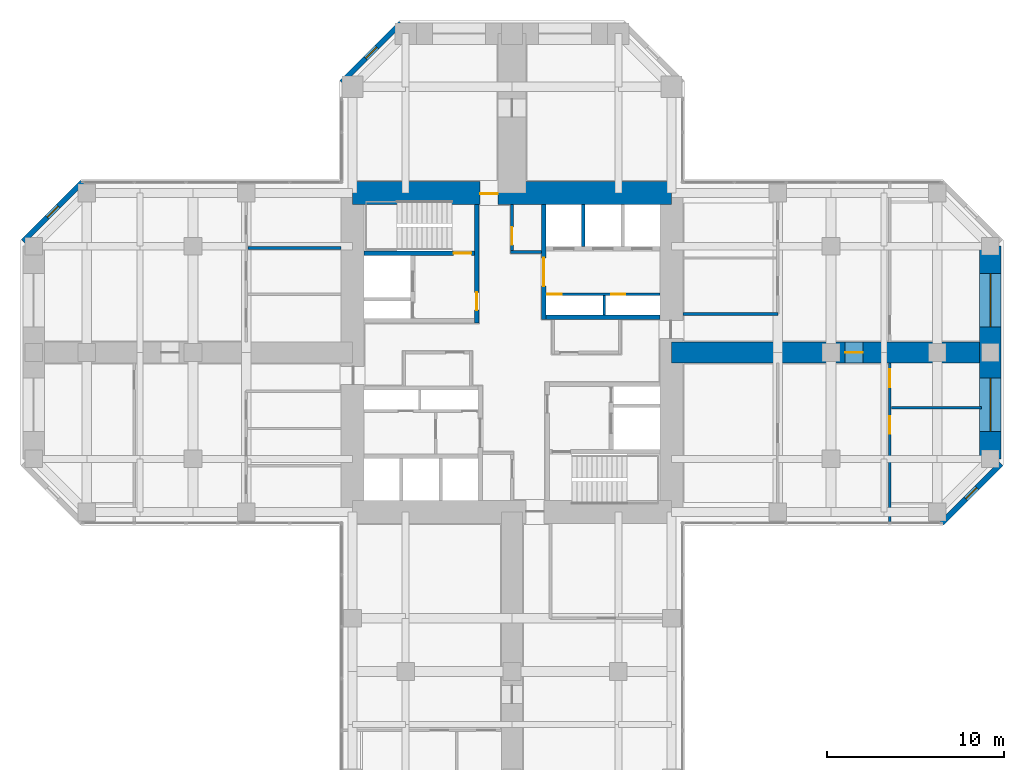
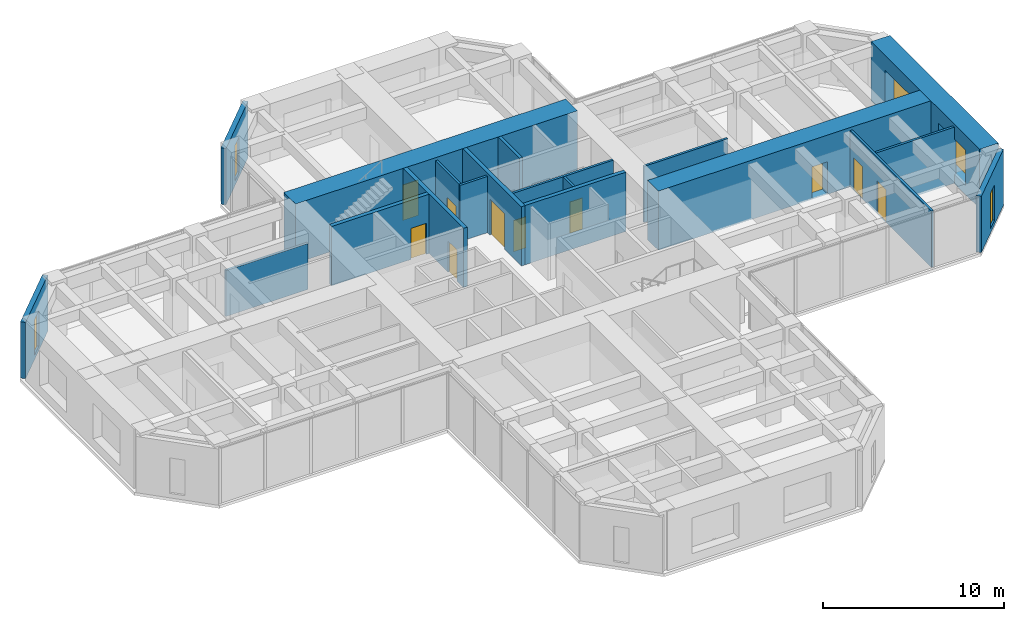
# One storey, part 10 of 12: 19 walls, 10 doors, 5 windows, 15 openings.
"""IFC4 building model written with IfcOpenShell, lengths in metres."""

from ifc_helpers import new_model, si_unit, direction, frame, frame_2d, origin, place, context, subcontext, project, spatial, rectangle, hollow_rectangle, extrude, material, layer, layer_set, constituent, constituent_set, type_object, element, fill, save


model = new_model("IFC4")

# Units and contexts
model_context = context("Model", 3, precision=1e-05, world=origin(), true_north=direction((0.0, 1.0)))
body_context = subcontext(model_context, "Body", "Model", "MODEL_VIEW")
ifc_project = project(units=[si_unit("LENGTHUNIT", "METRE"), si_unit("AREAUNIT", "SQUARE_METRE"), si_unit("VOLUMEUNIT", "CUBIC_METRE"), si_unit("PLANEANGLEUNIT", "RADIAN"), si_unit("MASSUNIT", "GRAM", prefix="KILO")], contexts=[model_context])

# Site, building, storey
site_placement = place(None, origin())
site = spatial("IfcSite", under=ifc_project, at=site_placement, CompositionType="ELEMENT")
building_placement = place(site_placement, origin())
building = spatial("IfcBuilding", under=site, at=building_placement, Name="Torre Cruceta", CompositionType="ELEMENT")
storey_placement = place(building_placement, frame((0.0, 0.0, 104.5)))
storey = spatial("IfcBuildingStorey", under=building, at=storey_placement, Name="L25", CompositionType="ELEMENT", Elevation=104.5)

# Wall, opening, door
ifc_material_1 = material(Name="Concrete G60 (fck 60 MPa)", Category="concrete")
ifc_layer_1 = layer(ifc_material_1, 0.25)
ifc_layer_set_1 = layer_set([ifc_layer_1], Name="Concrete G60 (fck 60 MPa)")
wall_type_1 = type_object("IfcWallType", Name="CORE INNER WALL 250 G60", PredefinedType="SHEAR", material=ifc_layer_set_1)
wall_1_placement = place(storey_placement, frame((1.800048828125, 1.875, 0.0), z_axis=(0.0, 0.0, 1.0), x_axis=(0.0, 1.0, 0.0)))
wall_1 = element("IfcWall", 1, at=wall_1_placement, inside=storey, type_object=wall_type_1, Name="CW4 L25 NE-CU", PredefinedType="SHEAR", context=body_context, shape_type="SweptSolid", body=[
    extrude(rectangle(XDim=6.47509765625, YDim=0.25, at=frame_2d((3.237548828125, 0.0))), origin(), (0.0, 0.0, 1.0), 4.0),
])
opening_1_placement = place(wall_1_placement, frame((1.875, 0.0, 0.0)))
opening_1 = element("IfcOpeningElement", 2, at=opening_1_placement, cuts=wall_1, Name="Opening D8", PredefinedType="OPENING", context=body_context, shape_type="SweptSolid", body=[
    extrude(rectangle(XDim=1.60009765625, YDim=2.39990234375, at=frame_2d((0.800048828125, 1.199951171875))), frame((0.0, 0.135009765625, 0.0), z_axis=(0.0, -1.0, 0.0), x_axis=(1.0, 0.0, 0.0)), (0.0, 0.0, 1.0), 0.27001953125),
])
ifc_material_2 = material(Name="Steel DX51D", Category="steel")
ifc_constituent_1 = constituent(ifc_material_2, Name="Leaf and frame")
ifc_material_3 = material(Name="Polyester powder coating", Category="paint")
ifc_constituent_2 = constituent(ifc_material_3, Name="Finish")
ifc_material_4 = material(Name="Fire-resisting glass", Category="glass")
ifc_constituent_3 = constituent(ifc_material_4, Name="Vision panel")
ifc_constituent_set_1 = constituent_set(constituents=[ifc_constituent_1, ifc_constituent_2, ifc_constituent_3], Name="Steel fire door with vision panels")
door_type_1 = type_object("IfcDoorType", Name="LIFT LOBBY DOUBLE DOOR 1600X2400", OperationType="DOUBLE_DOOR_DOUBLE_SWING", PredefinedType="DOOR", material=ifc_constituent_set_1)
door_1_placement = place(opening_1_placement, origin())
door_1 = element("IfcDoor", 3, at=door_1_placement, inside=storey, type_object=door_type_1, Name="D8 L25 NE-LOBBY", OperationType="DOUBLE_DOOR_DOUBLE_SWING", OverallHeight=2.39990234375, OverallWidth=1.60009765625, PredefinedType="DOOR", context=body_context, shape_type="SweptSolid", body=[
    extrude(rectangle(XDim=1.60009765625, YDim=2.39990234375, at=frame_2d((0.800048828125, 1.199951171875))), frame((0.0, 0.02490234375, 0.0), z_axis=(0.0, -1.0, 0.0), x_axis=(1.0, 0.0, 0.0)), (0.0, 0.0, 1.0), 0.050048828125),
])
fill(opening_1, door_1)

# Wall
wall_2_placement = place(storey_placement, frame((1.925048828125, 2.0, 0.0), z_axis=(0.0, 0.0, 1.0), x_axis=(1.0, 0.0, 0.0)))
element("IfcWall", 4, at=wall_2_placement, inside=storey, type_object=wall_type_1, Name="CW4 L25 NE-CV", PredefinedType="SHEAR", context=body_context, shape_type="SweptSolid", body=[
    extrude(rectangle(XDim=6.425048828125, YDim=0.25, at=frame_2d((3.21240234375, 0.0))), origin(), (0.0, 0.0, 1.0), 4.0),
])

# Wall, opening, door
wall_3_placement = place(storey_placement, frame((-2.0, 1.675048828125, 0.0), z_axis=(0.0, 0.0, 1.0), x_axis=(0.0, 1.0, 0.0)))
wall_3 = element("IfcWall", 5, at=wall_3_placement, inside=storey, type_object=wall_type_1, Name="CW4 L25 NW-CU", PredefinedType="SHEAR", context=body_context, shape_type="SweptSolid", body=[
    extrude(rectangle(XDim=6.675048828125, YDim=0.25, at=frame_2d((3.33740234375, 0.0))), origin(), (0.0, 0.0, 1.0), 4.0),
])
opening_2_placement = place(wall_3_placement, frame((0.72509765625, 0.0, 0.0)))
opening_2 = element("IfcOpeningElement", 6, at=opening_2_placement, cuts=wall_3, Name="Opening D3", PredefinedType="OPENING", context=body_context, shape_type="SweptSolid", body=[
    extrude(rectangle(XDim=1.0, YDim=2.10009765625, at=frame_2d((0.5, 1.050048828125))), frame((0.0, 0.135009765625, 0.0), z_axis=(0.0, -1.0, 0.0), x_axis=(1.0, 0.0, 0.0)), (0.0, 0.0, 1.0), 0.27001953125),
])
ifc_material_5 = material(Name="Steel DX51D", Category="steel")
ifc_constituent_4 = constituent(ifc_material_5, Name="Leaf and frame")
ifc_material_6 = material(Name="Polyester powder coating", Category="paint")
ifc_constituent_5 = constituent(ifc_material_6, Name="Finish")
ifc_constituent_set_2 = constituent_set(constituents=[ifc_constituent_4, ifc_constituent_5], Name="Steel fire door")
door_type_2 = type_object("IfcDoorType", Name="FIRE DOOR 1000X2100", OperationType="SINGLE_SWING_LEFT", PredefinedType="DOOR", material=ifc_constituent_set_2)
door_2_placement = place(opening_2_placement, origin())
door_2 = element("IfcDoor", 7, at=door_2_placement, inside=storey, type_object=door_type_2, Name="D3 L25 NW-LOBBY", OperationType="SINGLE_SWING_LEFT", OverallHeight=2.10009765625, OverallWidth=1.0, PredefinedType="DOOR", context=body_context, shape_type="SweptSolid", body=[
    extrude(rectangle(XDim=1.0, YDim=2.10009765625, at=frame_2d((0.5, 1.050048828125))), frame((0.0, 0.02490234375, 0.0), z_axis=(0.0, -1.0, 0.0), x_axis=(1.0, 0.0, 0.0)), (0.0, 0.0, 1.0), 0.050048828125),
])
fill(opening_2, door_2)

wall_4_placement = place(storey_placement, frame((-2.125, 5.60009765625, 0.0), z_axis=(0.0, 0.0, 1.0), x_axis=(-1.0, 0.0, 0.0)))
wall_4 = element("IfcWall", 8, at=wall_4_placement, inside=storey, type_object=wall_type_1, Name="CW4 L25 NW-SV", PredefinedType="SHEAR", context=body_context, shape_type="SweptSolid", body=[
    extrude(rectangle(XDim=6.22509765625, YDim=0.25, at=frame_2d((3.112548828125, 0.0))), origin(), (0.0, 0.0, 1.0), 4.0),
])
opening_3_placement = place(wall_4_placement, frame((0.175048828125, 0.0, 0.0)))
opening_3 = element("IfcOpeningElement", 9, at=opening_3_placement, cuts=wall_4, Name="Opening D3", PredefinedType="OPENING", context=body_context, shape_type="SweptSolid", body=[
    extrude(rectangle(XDim=1.0, YDim=2.10009765625, at=frame_2d((0.5, 1.050048828125))), frame((0.0, 0.135009765625, 0.0), z_axis=(0.0, -1.0, 0.0), x_axis=(1.0, 0.0, 0.0)), (0.0, 0.0, 1.0), 0.27001953125),
])
door_3_placement = place(opening_3_placement, frame((1.0, 0.0, 0.0), z_axis=(0.0, 0.0, 1.0), x_axis=(-1.0, 0.0, 0.0)))
door_3 = element("IfcDoor", 10, at=door_3_placement, inside=storey, type_object=door_type_2, Name="D3 L25 NW-STAIR", OperationType="SINGLE_SWING_RIGHT", OverallHeight=2.10009765625, OverallWidth=1.0, PredefinedType="DOOR", context=body_context, shape_type="SweptSolid", body=[
    extrude(rectangle(XDim=1.0, YDim=2.10009765625, at=frame_2d((0.5, 1.050048828125))), frame((0.0, 0.025146484375, 0.0), z_axis=(0.0, -1.0, 0.0), x_axis=(1.0, 0.0, 0.0)), (0.0, 0.0, 1.0), 0.050048828125),
])
fill(opening_3, door_3)

ifc_material_7 = material(Name="Concrete G60 (fck 60 MPa)", Category="concrete")
ifc_layer_2 = layer(ifc_material_7, 1.300048828125)
ifc_layer_set_2 = layer_set([ifc_layer_2], Name="Concrete G60 (fck 60 MPa)")
wall_type_2 = type_object("IfcWallType", Name="CORE WALL 1300 G60", PredefinedType="SHEAR", material=ifc_layer_set_2)
wall_5_placement = place(storey_placement, frame((9.0, 9.0, 0.0), z_axis=(0.0, 0.0, 1.0), x_axis=(-1.0, 0.0, 0.0)))
wall_5 = element("IfcWall", 11, at=wall_5_placement, inside=storey, type_object=wall_type_2, Name="CW1 L25 CW-N", PredefinedType="SHEAR", context=body_context, shape_type="SweptSolid", body=[
    extrude(rectangle(XDim=18.0, YDim=1.300048828125, at=frame_2d((9.0, 0.0))), origin(), (0.0, 0.0, 1.0), 4.0),
])
opening_4_placement = place(wall_5_placement, frame((9.800048828125, 0.0, 0.0)))
opening_4 = element("IfcOpeningElement", 12, at=opening_4_placement, cuts=wall_5, Name="Opening D4", PredefinedType="OPENING", context=body_context, shape_type="SweptSolid", body=[
    extrude(rectangle(XDim=1.0, YDim=2.39990234375, at=frame_2d((0.5, 1.199951171875))), frame((0.0, 0.659912109375, 0.0), z_axis=(0.0, -1.0, 0.0), x_axis=(1.0, 0.0, 0.0)), (0.0, 0.0, 1.0), 1.320068359375),
])
ifc_material_8 = material(Name="Steel DX51D", Category="steel")
ifc_constituent_6 = constituent(ifc_material_8, Name="Leaf and frame")
ifc_material_9 = material(Name="Polyester powder coating", Category="paint")
ifc_constituent_7 = constituent(ifc_material_9, Name="Finish")
ifc_constituent_set_3 = constituent_set(constituents=[ifc_constituent_6, ifc_constituent_7], Name="Steel fire door")
door_type_3 = type_object("IfcDoorType", Name="CORE ARM DOOR 1000X2400", OperationType="SINGLE_SWING_RIGHT", PredefinedType="DOOR", material=ifc_constituent_set_3)
door_4_placement = place(opening_4_placement, frame((1.0, 0.0, 0.0), z_axis=(0.0, 0.0, 1.0), x_axis=(-1.0, 0.0, 0.0)))
door_4 = element("IfcDoor", 13, at=door_4_placement, inside=storey, type_object=door_type_3, Name="D4 L25 CW-N", OperationType="SINGLE_SWING_RIGHT", OverallHeight=2.39990234375, OverallWidth=1.0, PredefinedType="DOOR", context=body_context, shape_type="SweptSolid", body=[
    extrude(rectangle(XDim=1.0, YDim=2.39990234375, at=frame_2d((0.5, 1.199951171875))), frame((0.0, -0.005126953125, 0.0), z_axis=(0.0, -1.0, 0.0), x_axis=(1.0, 0.0, 0.0)), (0.0, 0.0, 1.0), 0.050048828125),
])
fill(opening_4, door_4)

# Wall, opening, window
ifc_material_10 = material(Name="Concrete G30 (fck 30 MPa)", Category="concrete")
ifc_layer_3 = layer(ifc_material_10, 0.300048828125)
ifc_layer_set_3 = layer_set([ifc_layer_3], Name="Concrete G30 (fck 30 MPa)")
wall_type_3 = type_object("IfcWallType", Name="EXPOSED CONCRETE FACADE WALL 300", PredefinedType="SOLIDWALL", material=ifc_layer_set_3)
wall_6_placement = place(storey_placement, frame((24.2568359375, -9.6201171875, 0.0), z_axis=(0.0, 0.0, 1.0), x_axis=(0.707106781187, 0.707106781187, 0.0)))
wall_6 = element("IfcWall", 14, at=wall_6_placement, inside=storey, type_object=wall_type_3, Name="EW1 facade wall L25 E chamfer 01", PredefinedType="SOLIDWALL", context=body_context, shape_type="SweptSolid", body=[
    extrude(rectangle(XDim=4.72802734375, YDim=0.300048828125, at=frame_2d((2.364013671875, 0.0))), origin(), (0.0, 0.0, 1.0), 3.800048828125),
])
opening_5_placement = place(wall_6_placement, frame((1.9140625, 0.0, 0.300048828125)))
opening_5 = element("IfcOpeningElement", 15, at=opening_5_placement, cuts=wall_6, Name="Opening WN5", PredefinedType="OPENING", context=body_context, shape_type="SweptSolid", body=[
    extrude(rectangle(XDim=0.89990234375, YDim=2.39990234375, at=frame_2d((0.449951171875, 1.199951171875))), frame((0.0, 0.159912109375, 0.0), z_axis=(0.0, -1.0, 0.0), x_axis=(1.0, 0.0, 0.0)), (0.0, 0.0, 1.0), 0.320068359375),
])
ifc_material_11 = material(Name="Aluminium window frame", Category="aluminium")
ifc_constituent_8 = constituent(ifc_material_11, Name="Frame")
ifc_material_12 = material(Name="Laminated insulating glass unit, low-iron clear", Category="glass")
ifc_constituent_9 = constituent(ifc_material_12, Name="Glazing")
ifc_constituent_set_4 = constituent_set(constituents=[ifc_constituent_8, ifc_constituent_9], Name="Aluminium window")
window_type_1 = type_object("IfcWindowType", Name="CHAMFER SLOT WINDOW 900X2400", PartitioningType="SINGLE_PANEL", PredefinedType="WINDOW", material=ifc_constituent_set_4)
window_1_placement = place(opening_5_placement, origin())
window_1 = element("IfcWindow", 16, at=window_1_placement, inside=storey, type_object=window_type_1, Name="WN5 L25 E 1", OverallHeight=2.39990234375, OverallWidth=0.89990234375, PartitioningType="SINGLE_PANEL", PredefinedType="WINDOW", context=body_context, shape_type="SweptSolid", body=[
    extrude(hollow_rectangle(XDim=0.89990234375, YDim=2.39990234375, WallThickness=0.06005859375, at=frame_2d((0.449951171875, 1.199951171875))), frame((0.0, 0.030029296875, 0.0), z_axis=(0.0, -1.0, 0.0), x_axis=(1.0, 0.0, 0.0)), (0.0, 0.0, 1.0), 0.06005859375),
    extrude(rectangle(XDim=0.77880859375, YDim=2.27880859375, at=frame_2d((0.449951171875, 1.199951171875))), frame((0.0, 0.030029296875, 0.0), z_axis=(0.0, -1.0, 0.0), x_axis=(1.0, 0.0, 0.0)), (0.0, 0.0, 1.0), 0.06005859375),
])
fill(opening_5, window_1)

wall_7_placement = place(storey_placement, frame((-6.27685546875, 18.60009765625, 0.0), z_axis=(0.0, 0.0, 1.0), x_axis=(-0.707106781187, -0.707106781187, 0.0)))
wall_7 = element("IfcWall", 17, at=wall_7_placement, inside=storey, type_object=wall_type_3, Name="EW1 facade wall L25 N chamfer 08", PredefinedType="SOLIDWALL", context=body_context, shape_type="SweptSolid", body=[
    extrude(rectangle(XDim=4.72802734375, YDim=0.300048828125, at=frame_2d((2.364013671875, 0.0))), origin(), (0.0, 0.0, 1.0), 3.800048828125),
])
opening_6_placement = place(wall_7_placement, frame((1.9140625, 0.0, 0.300048828125)))
opening_6 = element("IfcOpeningElement", 18, at=opening_6_placement, cuts=wall_7, Name="Opening WN5", PredefinedType="OPENING", context=body_context, shape_type="SweptSolid", body=[
    extrude(rectangle(XDim=0.89990234375, YDim=2.39990234375, at=frame_2d((0.449951171875, 1.199951171875))), frame((0.0, 0.159912109375, 0.0), z_axis=(0.0, -1.0, 0.0), x_axis=(1.0, 0.0, 0.0)), (0.0, 0.0, 1.0), 0.320068359375),
])
window_2_placement = place(opening_6_placement, origin())
window_2 = element("IfcWindow", 19, at=window_2_placement, inside=storey, type_object=window_type_1, Name="WN5 L25 N 1", OverallHeight=2.39990234375, OverallWidth=0.89990234375, PartitioningType="SINGLE_PANEL", PredefinedType="WINDOW", context=body_context, shape_type="SweptSolid", body=[
    extrude(hollow_rectangle(XDim=0.89990234375, YDim=2.39990234375, WallThickness=0.06005859375, at=frame_2d((0.449951171875, 1.199951171875))), frame((0.0, 0.030029296875, 0.0), z_axis=(0.0, -1.0, 0.0), x_axis=(1.0, 0.0, 0.0)), (0.0, 0.0, 1.0), 0.06005859375),
    extrude(rectangle(XDim=0.77880859375, YDim=2.27880859375, at=frame_2d((0.449951171875, 1.199951171875))), frame((0.0, 0.030029296875, 0.0), z_axis=(0.0, -1.0, 0.0), x_axis=(1.0, 0.0, 0.0)), (0.0, 0.0, 1.0), 0.06005859375),
])
fill(opening_6, window_2)

wall_8_placement = place(storey_placement, frame((-24.2568359375, 9.6201171875, 0.0), z_axis=(0.0, 0.0, 1.0), x_axis=(-0.707106781187, -0.707106781187, 0.0)))
wall_8 = element("IfcWall", 20, at=wall_8_placement, inside=storey, type_object=wall_type_3, Name="EW1 facade wall L25 W chamfer 11", PredefinedType="SOLIDWALL", context=body_context, shape_type="SweptSolid", body=[
    extrude(rectangle(XDim=4.72802734375, YDim=0.300048828125, at=frame_2d((2.364013671875, 0.0))), origin(), (0.0, 0.0, 1.0), 3.800048828125),
])
opening_7_placement = place(wall_8_placement, frame((1.9140625, 0.0, 0.300048828125)))
opening_7 = element("IfcOpeningElement", 21, at=opening_7_placement, cuts=wall_8, Name="Opening WN5", PredefinedType="OPENING", context=body_context, shape_type="SweptSolid", body=[
    extrude(rectangle(XDim=0.89990234375, YDim=2.39990234375, at=frame_2d((0.449951171875, 1.199951171875))), frame((0.0, 0.159912109375, 0.0), z_axis=(0.0, -1.0, 0.0), x_axis=(1.0, 0.0, 0.0)), (0.0, 0.0, 1.0), 0.320068359375),
])
window_3_placement = place(opening_7_placement, origin())
window_3 = element("IfcWindow", 22, at=window_3_placement, inside=storey, type_object=window_type_1, Name="WN5 L25 W 1", OverallHeight=2.39990234375, OverallWidth=0.89990234375, PartitioningType="SINGLE_PANEL", PredefinedType="WINDOW", context=body_context, shape_type="SweptSolid", body=[
    extrude(hollow_rectangle(XDim=0.89990234375, YDim=2.39990234375, WallThickness=0.06005859375, at=frame_2d((0.449951171875, 1.199951171875))), frame((0.0, 0.030029296875, 0.0), z_axis=(0.0, -1.0, 0.0), x_axis=(1.0, 0.0, 0.0)), (0.0, 0.0, 1.0), 0.06005859375),
    extrude(rectangle(XDim=0.77880859375, YDim=2.27880859375, at=frame_2d((0.449951171875, 1.199951171875))), frame((0.0, 0.030029296875, 0.0), z_axis=(0.0, -1.0, 0.0), x_axis=(1.0, 0.0, 0.0)), (0.0, 0.0, 1.0), 0.06005859375),
])
fill(opening_7, window_3)

# Wall
ifc_material_13 = material(Name="Concrete G35 (fck 35 MPa)", Category="concrete")
ifc_layer_4 = layer(ifc_material_13, 0.199951171875)
ifc_layer_set_4 = layer_set([ifc_layer_4], Name="Concrete G35 (fck 35 MPa)")
wall_type_4 = type_object("IfcWallType", Name="LIFT SHAFT WALL 200", PredefinedType="PARTITIONING", material=ifc_layer_set_4)
wall_9_placement = place(storey_placement, frame((4.033447265625, 5.97509765625, 0.0), z_axis=(0.0, 0.0, 1.0), x_axis=(0.0, 1.0, 0.0)))
element("IfcWall", 23, at=wall_9_placement, inside=storey, type_object=wall_type_4, Name="SW1 L25 NE-LS1", PredefinedType="PARTITIONING", context=body_context, shape_type="SweptSolid", body=[
    extrude(rectangle(XDim=2.375, YDim=0.199951171875, at=frame_2d((1.1875, 0.0))), origin(), (0.0, 0.0, 1.0), 4.0),
])

# Wall, openings, windows
ifc_material_14 = material(Name="Concrete G60 (fck 60 MPa)", Category="concrete")
ifc_layer_5 = layer(ifc_material_14, 1.199951171875)
ifc_layer_set_5 = layer_set([ifc_layer_5], Name="Concrete G60 (fck 60 MPa)")
wall_type_5 = type_object("IfcWallType", Name="NOSE WALL 1200 G60", PredefinedType="SHEAR", material=ifc_layer_set_5)
wall_10_placement = place(storey_placement, frame((27.0, -6.0, 0.0), z_axis=(0.0, 0.0, 1.0), x_axis=(0.0, 1.0, 0.0)))
wall_10 = element("IfcWall", 24, at=wall_10_placement, inside=storey, type_object=wall_type_5, Name="NW1 nose wall L25 E", PredefinedType="SHEAR", context=body_context, shape_type="SweptSolid", body=[
    extrude(rectangle(XDim=12.0, YDim=1.199951171875, at=frame_2d((6.0, 0.0))), origin(), (0.0, 0.0, 1.0), 4.0),
])
opening_8_placement = place(wall_10_placement, frame((1.550048828125, 0.0, 0.60009765625)))
opening_8 = element("IfcOpeningElement", 25, at=opening_8_placement, cuts=wall_10, Name="Opening WN6", PredefinedType="OPENING", context=body_context, shape_type="SweptSolid", body=[
    extrude(rectangle(XDim=3.0, YDim=2.39990234375, at=frame_2d((1.5, 1.199951171875))), frame((0.0, 0.60986328125, 0.0), z_axis=(0.0, -1.0, 0.0), x_axis=(1.0, 0.0, 0.0)), (0.0, 0.0, 1.0), 1.219970703125),
])
opening_9_placement = place(wall_10_placement, frame((7.449951171875, 0.0, 0.60009765625)))
opening_9 = element("IfcOpeningElement", 26, at=opening_9_placement, cuts=wall_10, Name="Opening WN6", PredefinedType="OPENING", context=body_context, shape_type="SweptSolid", body=[
    extrude(rectangle(XDim=3.0, YDim=2.39990234375, at=frame_2d((1.5, 1.199951171875))), frame((0.0, 0.60986328125, 0.0), z_axis=(0.0, -1.0, 0.0), x_axis=(1.0, 0.0, 0.0)), (0.0, 0.0, 1.0), 1.219970703125),
])
ifc_material_15 = material(Name="Aluminium window frame", Category="aluminium")
ifc_constituent_10 = constituent(ifc_material_15, Name="Frame")
ifc_material_16 = material(Name="Laminated insulating glass unit, low-iron clear", Category="glass")
ifc_constituent_11 = constituent(ifc_material_16, Name="Glazing")
ifc_constituent_set_5 = constituent_set(constituents=[ifc_constituent_10, ifc_constituent_11], Name="Aluminium window")
window_type_2 = type_object("IfcWindowType", Name="NOSE WALL WINDOW 3000X2400", PartitioningType="SINGLE_PANEL", PredefinedType="WINDOW", material=ifc_constituent_set_5)
window_4_placement = place(opening_8_placement, origin())
window_4 = element("IfcWindow", 27, at=window_4_placement, inside=storey, type_object=window_type_2, Name="WN6 L25 E 1", OverallHeight=2.39990234375, OverallWidth=3.0, PartitioningType="SINGLE_PANEL", PredefinedType="WINDOW", context=body_context, shape_type="SweptSolid", body=[
    extrude(hollow_rectangle(XDim=3.0, YDim=2.39990234375, WallThickness=0.06005859375, at=frame_2d((1.5, 1.199951171875))), frame((0.0, 0.030029296875, 0.0), z_axis=(0.0, -1.0, 0.0), x_axis=(1.0, 0.0, 0.0)), (0.0, 0.0, 1.0), 0.06005859375),
    extrude(rectangle(XDim=2.87890625, YDim=2.27880859375, at=frame_2d((1.5, 1.199951171875))), frame((0.0, 0.030029296875, 0.0), z_axis=(0.0, -1.0, 0.0), x_axis=(1.0, 0.0, 0.0)), (0.0, 0.0, 1.0), 0.06005859375),
])
fill(opening_8, window_4)
window_5_placement = place(opening_9_placement, origin())
window_5 = element("IfcWindow", 28, at=window_5_placement, inside=storey, type_object=window_type_2, Name="WN6 L25 E 2", OverallHeight=2.39990234375, OverallWidth=3.0, PartitioningType="SINGLE_PANEL", PredefinedType="WINDOW", context=body_context, shape_type="SweptSolid", body=[
    extrude(hollow_rectangle(XDim=3.0, YDim=2.39990234375, WallThickness=0.06005859375, at=frame_2d((1.5, 1.199951171875))), frame((0.0, 0.030029296875, 0.0), z_axis=(0.0, -1.0, 0.0), x_axis=(1.0, 0.0, 0.0)), (0.0, 0.0, 1.0), 0.06005859375),
    extrude(rectangle(XDim=2.87890625, YDim=2.27880859375, at=frame_2d((1.5, 1.199951171875))), frame((0.0, 0.030029296875, 0.0), z_axis=(0.0, -1.0, 0.0), x_axis=(1.0, 0.0, 0.0)), (0.0, 0.0, 1.0), 0.06005859375),
])
fill(opening_9, window_5)

# Wall, opening, door
ifc_material_17 = material(Name="Plasterboard on steel studs", Category="steel")
ifc_layer_6 = layer(ifc_material_17, 0.14990234375)
ifc_layer_set_6 = layer_set([ifc_layer_6], Name="Plasterboard on steel studs")
wall_type_6 = type_object("IfcWallType", Name="PARTITION 150", PredefinedType="PARTITIONING", material=ifc_layer_set_6)
wall_11_placement = place(storey_placement, frame((0.0, 5.675048828125, 0.0), z_axis=(0.0, 0.0, 1.0), x_axis=(0.0, 1.0, 0.0)))
wall_11 = element("IfcWall", 29, at=wall_11_placement, inside=storey, type_object=wall_type_6, Name="PT1 L25-CORE-LEGN-E-W1", PredefinedType="PARTITIONING", context=body_context, shape_type="SweptSolid", body=[
    extrude(rectangle(XDim=2.675048828125, YDim=0.14990234375, at=frame_2d((1.33740234375, 0.0))), origin(), (0.0, 0.0, 1.0), 3.800048828125),
])
opening_10_placement = place(wall_11_placement, frame((0.39990234375, 0.0, 0.0)))
opening_10 = element("IfcOpeningElement", 30, at=opening_10_placement, cuts=wall_11, Name="Opening D3", PredefinedType="OPENING", context=body_context, shape_type="SweptSolid", body=[
    extrude(rectangle(XDim=1.0, YDim=2.10009765625, at=frame_2d((0.5, 1.050048828125))), frame((0.0, 0.0849609375, 0.0), z_axis=(0.0, -1.0, 0.0), x_axis=(1.0, 0.0, 0.0)), (0.0, 0.0, 1.0), 0.169921875),
])
door_5_placement = place(opening_10_placement, frame((1.0, 0.0, 0.0), z_axis=(0.0, 0.0, 1.0), x_axis=(-1.0, 0.0, 0.0)))
door_5 = element("IfcDoor", 31, at=door_5_placement, inside=storey, type_object=door_type_2, Name="D3 L25-CORE-LEGN-E-W1-D1", OperationType="SINGLE_SWING_RIGHT", OverallHeight=2.10009765625, OverallWidth=1.0, PredefinedType="DOOR", context=body_context, shape_type="SweptSolid", body=[
    extrude(rectangle(XDim=1.0, YDim=2.10009765625, at=frame_2d((0.5, 1.050048828125))), frame((0.0, 0.025146484375, 0.0), z_axis=(0.0, -1.0, 0.0), x_axis=(1.0, 0.0, 0.0)), (0.0, 0.0, 1.0), 0.050048828125),
])
fill(opening_10, door_5)

# Walls
wall_12_placement = place(storey_placement, frame((1.675048828125, 5.675048828125, 0.0), z_axis=(0.0, 0.0, 1.0), x_axis=(-1.0, 0.0, 0.0)))
element("IfcWall", 32, at=wall_12_placement, inside=storey, type_object=wall_type_6, Name="PT1 L25-CORE-LEGN-E-W2", PredefinedType="PARTITIONING", context=body_context, shape_type="SweptSolid", body=[
    extrude(rectangle(XDim=1.75, YDim=0.14990234375, at=frame_2d((0.875, 0.0))), origin(), (0.0, 0.0, 1.0), 3.800048828125),
])
wall_13_placement = place(storey_placement, frame((9.64990234375, 2.175048828125, 0.0), z_axis=(0.0, 0.0, 1.0), x_axis=(1.0, 0.0, 0.0)))
element("IfcWall", 33, at=wall_13_placement, inside=storey, type_object=wall_type_6, Name="PT1 L25-E-BSL", PredefinedType="PARTITIONING", context=body_context, shape_type="SweptSolid", body=[
    extrude(rectangle(XDim=5.35009765625, YDim=0.14990234375, at=frame_2d((2.675048828125, 0.0))), origin(), (0.0, 0.0, 1.0), 3.800048828125),
])
wall_14_placement = place(storey_placement, frame((21.419921875, -3.117919921875, 0.0), z_axis=(0.0, 0.0, 1.0), x_axis=(1.0, 0.0, 0.0)))
element("IfcWall", 34, at=wall_14_placement, inside=storey, type_object=wall_type_6, Name="PT1 L25-E-TDR", PredefinedType="PARTITIONING", context=body_context, shape_type="SweptSolid", body=[
    extrude(rectangle(XDim=5.080078125, YDim=0.14990234375, at=frame_2d((2.5400390625, 0.0))), origin(), (0.0, 0.0, 1.0), 3.800048828125),
])

# Wall, openings, doors
wall_15_placement = place(storey_placement, frame((21.320068359375, -9.580078125, 0.0), z_axis=(0.0, 0.0, 1.0), x_axis=(0.0, 1.0, 0.0)))
wall_15 = element("IfcWall", 35, at=wall_15_placement, inside=storey, type_object=wall_type_6, Name="PT1 L25-E-TWR", PredefinedType="PARTITIONING", context=body_context, shape_type="SweptSolid", body=[
    extrude(rectangle(XDim=8.97998046875, YDim=0.14990234375, at=frame_2d((4.489990234375, 0.0))), origin(), (0.0, 0.0, 1.0), 3.800048828125),
])
opening_11_placement = place(wall_15_placement, frame((4.987060546875, 0.0, 0.0)))
opening_11 = element("IfcOpeningElement", 36, at=opening_11_placement, cuts=wall_15, Name="Opening D14", PredefinedType="OPENING", context=body_context, shape_type="SweptSolid", body=[
    extrude(rectangle(XDim=1.0, YDim=2.199951171875, at=frame_2d((0.5, 1.10009765625))), frame((0.0, 0.0849609375, 0.0), z_axis=(0.0, -1.0, 0.0), x_axis=(1.0, 0.0, 0.0)), (0.0, 0.0, 1.0), 0.169921875),
])
opening_12_placement = place(wall_15_placement, frame((7.6298828125, 0.0, 0.0)))
opening_12 = element("IfcOpeningElement", 37, at=opening_12_placement, cuts=wall_15, Name="Opening D14", PredefinedType="OPENING", context=body_context, shape_type="SweptSolid", body=[
    extrude(rectangle(XDim=1.0, YDim=2.199951171875, at=frame_2d((0.5, 1.10009765625))), frame((0.0, 0.0849609375, 0.0), z_axis=(0.0, -1.0, 0.0), x_axis=(1.0, 0.0, 0.0)), (0.0, 0.0, 1.0), 0.169921875),
])
ifc_material_18 = material(Name="Steel DX51D", Category="steel")
ifc_constituent_12 = constituent(ifc_material_18, Name="Leaf and frame")
ifc_material_19 = material(Name="Polyester powder coating", Category="paint")
ifc_constituent_13 = constituent(ifc_material_19, Name="Finish")
ifc_material_20 = material(Name="Fire-resisting glass", Category="glass")
ifc_constituent_14 = constituent(ifc_material_20, Name="Vision panel")
ifc_constituent_set_6 = constituent_set(constituents=[ifc_constituent_12, ifc_constituent_13, ifc_constituent_14], Name="Steel fire door with vision panel")
door_type_4 = type_object("IfcDoorType", Name="FIRE DOOR VISION PANEL 1000X2200", OperationType="SINGLE_SWING_RIGHT", PredefinedType="DOOR", material=ifc_constituent_set_6)
door_6_placement = place(opening_11_placement, frame((1.0, 0.0, 0.0), z_axis=(0.0, 0.0, 1.0), x_axis=(-1.0, 0.0, 0.0)))
door_6 = element("IfcDoor", 38, at=door_6_placement, inside=storey, type_object=door_type_4, Name="D14 L25-E-TWR-D1", OperationType="SINGLE_SWING_LEFT", OverallHeight=2.199951171875, OverallWidth=1.0, PredefinedType="DOOR", context=body_context, shape_type="SweptSolid", body=[
    extrude(rectangle(XDim=1.0, YDim=2.199951171875, at=frame_2d((0.5, 1.10009765625))), frame((0.0, 0.025146484375, 0.0), z_axis=(0.0, -1.0, 0.0), x_axis=(1.0, 0.0, 0.0)), (0.0, 0.0, 1.0), 0.050048828125),
])
fill(opening_11, door_6)
door_7_placement = place(opening_12_placement, frame((1.0, 0.0, 0.0), z_axis=(0.0, 0.0, 1.0), x_axis=(-1.0, 0.0, 0.0)))
door_7 = element("IfcDoor", 39, at=door_7_placement, inside=storey, type_object=door_type_4, Name="D14 L25-E-TWR-D2", OperationType="SINGLE_SWING_LEFT", OverallHeight=2.199951171875, OverallWidth=1.0, PredefinedType="DOOR", context=body_context, shape_type="SweptSolid", body=[
    extrude(rectangle(XDim=1.0, YDim=2.199951171875, at=frame_2d((0.5, 1.10009765625))), frame((0.0, 0.025146484375, 0.0), z_axis=(0.0, -1.0, 0.0), x_axis=(1.0, 0.0, 0.0)), (0.0, 0.0, 1.0), 0.050048828125),
])
fill(opening_12, door_7)

# Wall
wall_16_placement = place(storey_placement, frame((-9.64990234375, 5.89990234375, 0.0), z_axis=(0.0, 0.0, 1.0), x_axis=(-1.0, 0.0, 0.0)))
element("IfcWall", 40, at=wall_16_placement, inside=storey, type_object=wall_type_6, Name="PT1 L25-W-BDR2", PredefinedType="PARTITIONING", context=body_context, shape_type="SweptSolid", body=[
    extrude(rectangle(XDim=5.25, YDim=0.14990234375, at=frame_2d((2.625, 0.0))), origin(), (0.0, 0.0, 1.0), 3.10009765625),
])

# Wall, openings, doors
ifc_material_21 = material(Name="Concrete block masonry", Category="masonry")
ifc_layer_7 = layer(ifc_material_21, 0.14990234375)
ifc_layer_set_7 = layer_set([ifc_layer_7], Name="Concrete block masonry")
wall_type_7 = type_object("IfcWallType", Name="RISER WALL 150", PredefinedType="PARTITIONING", material=ifc_layer_set_7)
wall_17_placement = place(storey_placement, frame((1.925048828125, 3.300048828125, 0.0), z_axis=(0.0, 0.0, 1.0), x_axis=(1.0, 0.0, 0.0)))
wall_17 = element("IfcWall", 41, at=wall_17_placement, inside=storey, type_object=wall_type_7, Name="SW7 L25 NE-RV", PredefinedType="PARTITIONING", context=body_context, shape_type="SweptSolid", body=[
    extrude(rectangle(XDim=6.425048828125, YDim=0.14990234375, at=frame_2d((3.21240234375, 0.0))), origin(), (0.0, 0.0, 1.0), 4.0),
])
opening_13_placement = place(wall_17_placement, frame((0.074951171875, 0.0, 0.0)))
opening_13 = element("IfcOpeningElement", 42, at=opening_13_placement, cuts=wall_17, Name="Opening D5", PredefinedType="OPENING", context=body_context, shape_type="SweptSolid", body=[
    extrude(rectangle(XDim=0.800048828125, YDim=2.10009765625, at=frame_2d((0.39990234375, 1.050048828125))), frame((0.0, 0.0849609375, 0.0), z_axis=(0.0, -1.0, 0.0), x_axis=(1.0, 0.0, 0.0)), (0.0, 0.0, 1.0), 0.169921875),
])
opening_14_placement = place(wall_17_placement, frame((3.675048828125, 0.0, 0.0)))
opening_14 = element("IfcOpeningElement", 43, at=opening_14_placement, cuts=wall_17, Name="Opening D5", PredefinedType="OPENING", context=body_context, shape_type="SweptSolid", body=[
    extrude(rectangle(XDim=0.800048828125, YDim=2.10009765625, at=frame_2d((0.39990234375, 1.050048828125))), frame((0.0, 0.0849609375, 0.0), z_axis=(0.0, -1.0, 0.0), x_axis=(1.0, 0.0, 0.0)), (0.0, 0.0, 1.0), 0.169921875),
])
ifc_material_22 = material(Name="Steel DX51D", Category="steel")
ifc_constituent_15 = constituent(ifc_material_22, Name="Leaf and frame")
ifc_material_23 = material(Name="Polyester powder coating", Category="paint")
ifc_constituent_16 = constituent(ifc_material_23, Name="Finish")
ifc_constituent_set_7 = constituent_set(constituents=[ifc_constituent_15, ifc_constituent_16], Name="Steel fire door")
door_type_5 = type_object("IfcDoorType", Name="RISER ACCESS DOOR 800X2100", OperationType="SINGLE_SWING_LEFT", PredefinedType="DOOR", material=ifc_constituent_set_7)
door_8_placement = place(opening_13_placement, frame((0.800048828125, 0.0, 0.0), z_axis=(0.0, 0.0, 1.0), x_axis=(-1.0, 0.0, 0.0)))
door_8 = element("IfcDoor", 44, at=door_8_placement, inside=storey, type_object=door_type_5, Name="D5 L25 NE-RISER1", OperationType="SINGLE_SWING_RIGHT", OverallHeight=2.10009765625, OverallWidth=0.800048828125, PredefinedType="DOOR", context=body_context, shape_type="SweptSolid", body=[
    extrude(rectangle(XDim=0.800048828125, YDim=2.10009765625, at=frame_2d((0.400146484375, 1.050048828125))), frame((0.0, 0.025146484375, 0.0), z_axis=(0.0, -1.0, 0.0), x_axis=(1.0, 0.0, 0.0)), (0.0, 0.0, 1.0), 0.050048828125),
])
fill(opening_13, door_8)
door_9_placement = place(opening_14_placement, frame((0.800048828125, 0.0, 0.0), z_axis=(0.0, 0.0, 1.0), x_axis=(-1.0, 0.0, 0.0)))
door_9 = element("IfcDoor", 45, at=door_9_placement, inside=storey, type_object=door_type_5, Name="D5 L25 NE-RISER2", OperationType="SINGLE_SWING_RIGHT", OverallHeight=2.10009765625, OverallWidth=0.800048828125, PredefinedType="DOOR", context=body_context, shape_type="SweptSolid", body=[
    extrude(rectangle(XDim=0.800048828125, YDim=2.10009765625, at=frame_2d((0.400146484375, 1.050048828125))), frame((0.0, 0.025146484375, 0.0), z_axis=(0.0, -1.0, 0.0), x_axis=(1.0, 0.0, 0.0)), (0.0, 0.0, 1.0), 0.050048828125),
])
fill(opening_14, door_9)

# Wall
wall_18_placement = place(storey_placement, frame((5.199951171875, 2.125, 0.0), z_axis=(0.0, 0.0, 1.0), x_axis=(0.0, 1.0, 0.0)))
element("IfcWall", 46, at=wall_18_placement, inside=storey, type_object=wall_type_7, Name="SW7 L25 NE-RU", PredefinedType="PARTITIONING", context=body_context, shape_type="SweptSolid", body=[
    extrude(rectangle(XDim=1.10009765625, YDim=0.14990234375, at=frame_2d((0.550048828125, 0.0))), origin(), (0.0, 0.0, 1.0), 4.0),
])

# Wall, opening, door
ifc_material_24 = material(Name="Concrete G60 (fck 60 MPa)", Category="concrete")
ifc_layer_8 = layer(ifc_material_24, 1.199951171875)
ifc_layer_set_8 = layer_set([ifc_layer_8], Name="Concrete G60 (fck 60 MPa)")
wall_type_8 = type_object("IfcWallType", Name="SPINE WALL 1200 G60", PredefinedType="SHEAR", material=ifc_layer_set_8)
wall_19_placement = place(storey_placement, frame((9.0, 0.0, 0.0), z_axis=(0.0, 0.0, 1.0), x_axis=(1.0, 0.0, 0.0)))
wall_19 = element("IfcWall", 47, at=wall_19_placement, inside=storey, type_object=wall_type_8, Name="SW3 spine wall L25 E", PredefinedType="SHEAR", context=body_context, shape_type="SweptSolid", body=[
    extrude(rectangle(XDim=18.0, YDim=1.199951171875, at=frame_2d((9.0, 0.0))), origin(), (0.0, 0.0, 1.0), 4.0),
])
opening_15_placement = place(wall_19_placement, frame((9.800048828125, 0.0, 0.0)))
opening_15 = element("IfcOpeningElement", 48, at=opening_15_placement, cuts=wall_19, Name="Opening D14", PredefinedType="OPENING", context=body_context, shape_type="SweptSolid", body=[
    extrude(rectangle(XDim=1.0, YDim=2.199951171875, at=frame_2d((0.5, 1.10009765625))), frame((0.0, 0.60986328125, 0.0), z_axis=(0.0, -1.0, 0.0), x_axis=(1.0, 0.0, 0.0)), (0.0, 0.0, 1.0), 1.219970703125),
])
door_10_placement = place(opening_15_placement, frame((1.0, 0.0, 0.0), z_axis=(0.0, 0.0, 1.0), x_axis=(-1.0, 0.0, 0.0)))
door_10 = element("IfcDoor", 49, at=door_10_placement, inside=storey, type_object=door_type_4, Name="D14 L25-E-SP1", OperationType="SINGLE_SWING_LEFT", OverallHeight=2.199951171875, OverallWidth=1.0, PredefinedType="DOOR", context=body_context, shape_type="SweptSolid", body=[
    extrude(rectangle(XDim=1.0, YDim=2.199951171875, at=frame_2d((0.5, 1.10009765625))), frame((0.0, 0.025146484375, 0.0), z_axis=(0.0, -1.0, 0.0), x_axis=(1.0, 0.0, 0.0)), (0.0, 0.0, 1.0), 0.050048828125),
])
fill(opening_15, door_10)

save(model, "model.ifc")
